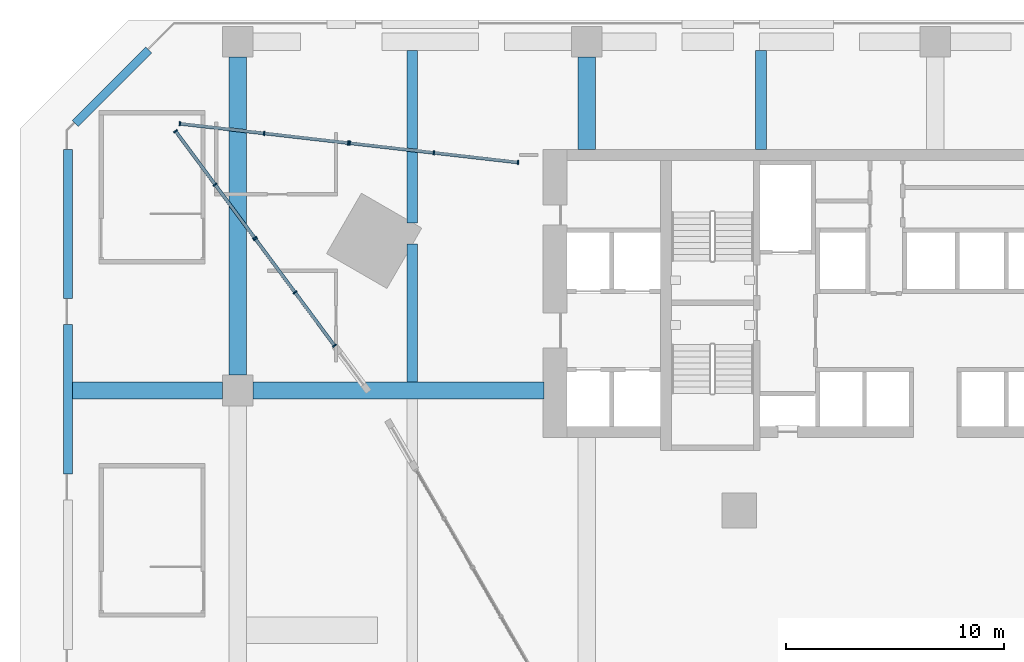
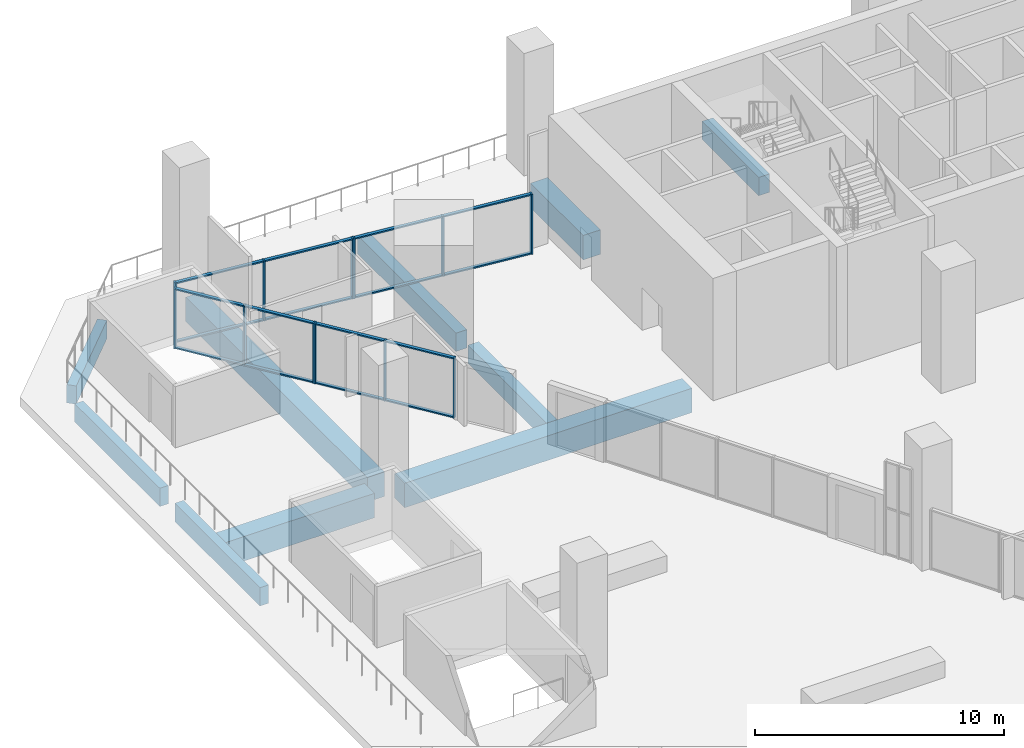
# One storey, part 9 of 25: 28 members, 10 beams, 4 elements without a shape of their own.
"""IFC4 building model written with IfcOpenShell, lengths in metres."""

from ifc_helpers import new_model, si_unit, direction, frame, origin, origin_2d, place, context, subcontext, project, spatial, rectangle, extrude, material, material_profile, profile_set, type_object, element, aggregate, save


model = new_model("IFC4")

# Units and contexts
model_context = context("Model", 3, precision=1e-05, world=origin(), true_north=direction((0.0, 1.0)))
body_context = subcontext(model_context, "Body", "Model", "MODEL_VIEW")
ifc_project = project(units=[si_unit("LENGTHUNIT", "METRE"), si_unit("AREAUNIT", "SQUARE_METRE"), si_unit("VOLUMEUNIT", "CUBIC_METRE"), si_unit("PLANEANGLEUNIT", "RADIAN"), si_unit("MASSUNIT", "GRAM", prefix="KILO")], contexts=[model_context])

# Site, building, storey
site_placement = place(None, origin())
site = spatial("IfcSite", under=ifc_project, at=site_placement, CompositionType="ELEMENT")
building_placement = place(site_placement, origin())
building = spatial("IfcBuilding", under=site, at=building_placement, Name="Calabash Gate Tower", CompositionType="ELEMENT")
storey_placement = place(building_placement, frame((0.0, 0.0, 40.0)))
storey = spatial("IfcBuildingStorey", under=building, at=storey_placement, Name="L05", CompositionType="ELEMENT", Elevation=40.0)

# Beams
ifc_material_1 = material(Name="Concrete C50/60", Category="concrete")
ifc_material_profile_1 = material_profile(ifc_material_1, rectangle(XDim=0.39990234375, YDim=0.89990234375, at=origin_2d()))
ifc_profile_set_1 = profile_set([ifc_material_profile_1], Name="Concrete C50/60")
beam_type_1 = type_object("IfcBeamType", Name="Edge beam RC 400x900 Concrete C50/60", PredefinedType="BEAM", material=ifc_profile_set_1)
beam_1_placement = place(storey_placement, frame((-39.800048828125, 4.172119140625, -0.89990234375), z_axis=(0.0, 1.0, 0.0), x_axis=(-1.0, 0.0, 0.0)))
element("IfcBeam", 1, at=beam_1_placement, inside=storey, type_object=beam_type_1, Name="Edge beam L05 7", PredefinedType="BEAM", context=body_context, shape_type="SweptSolid", body=[
    extrude(rectangle(XDim=0.39990234375, YDim=0.89990234375, at=origin_2d()), origin(), (0.0, 0.0, 1.0), 6.847900390625),
])
beam_2_placement = place(storey_placement, frame((-39.800048828125, 12.219970703125, -0.89990234375), z_axis=(0.0, 1.0, 0.0), x_axis=(-1.0, 0.0, 0.0)))
element("IfcBeam", 2, at=beam_2_placement, inside=storey, type_object=beam_type_1, Name="Edge beam L05 8", PredefinedType="BEAM", context=body_context, shape_type="SweptSolid", body=[
    extrude(rectangle(XDim=0.39990234375, YDim=0.89990234375, at=origin_2d()), origin(), (0.0, 0.0, 1.0), 6.84912109375),
])
beam_3_placement = place(storey_placement, frame((-39.464111328125, 20.2529296875, -0.89990234375), z_axis=(0.707209208473, 0.707004339061, 0.0), x_axis=(-0.707004339061, 0.707209208473, 0.0)))
element("IfcBeam", 3, at=beam_3_placement, inside=storey, type_object=beam_type_1, Name="Edge beam L05 9", PredefinedType="BEAM", context=body_context, shape_type="SweptSolid", body=[
    extrude(rectangle(XDim=0.39990234375, YDim=0.89990234375, at=origin_2d()), origin(), (0.0, 0.0, 1.0), 4.766845703125),
])
ifc_material_2 = material(Name="Concrete C50/60", Category="concrete")
ifc_material_profile_2 = material_profile(ifc_material_2, rectangle(XDim=0.5, YDim=0.89990234375, at=origin_2d()))
ifc_profile_set_2 = profile_set([ifc_material_profile_2], Name="Concrete C50/60")
beam_type_2 = type_object("IfcBeamType", Name="Floor beam RC 500x900 Concrete C50/60", PredefinedType="BEAM", material=ifc_profile_set_2)
beam_4_placement = place(storey_placement, frame((-24.0, 8.39990234375, -0.89990234375), z_axis=(0.0, 1.0, 0.0), x_axis=(-1.0, 0.0, 0.0)))
element("IfcBeam", 4, at=beam_4_placement, inside=storey, type_object=beam_type_2, Name="Floor beam L05 4", PredefinedType="BEAM", context=body_context, shape_type="SweptSolid", body=[
    extrude(rectangle(XDim=0.5, YDim=0.89990234375, at=origin_2d()), origin(), (0.0, 0.0, 1.0), 6.319091796875),
])
beam_5_placement = place(storey_placement, frame((-24.0, 15.681884765625, -0.89990234375), z_axis=(0.0, 1.0, 0.0), x_axis=(-1.0, 0.0, 0.0)))
element("IfcBeam", 5, at=beam_5_placement, inside=storey, type_object=beam_type_2, Name="Floor beam L05 5", PredefinedType="BEAM", context=body_context, shape_type="SweptSolid", body=[
    extrude(rectangle(XDim=0.5, YDim=0.89990234375, at=origin_2d()), origin(), (0.0, 0.0, 1.0), 7.918212890625),
])
beam_6_placement = place(storey_placement, frame((-8.0, 19.052978515625, -0.89990234375), z_axis=(0.0, 1.0, 0.0), x_axis=(-1.0, 0.0, 0.0)))
element("IfcBeam", 6, at=beam_6_placement, inside=storey, type_object=beam_type_2, Name="Floor beam L05 8", PredefinedType="BEAM", context=body_context, shape_type="SweptSolid", body=[
    extrude(rectangle(XDim=0.5, YDim=0.89990234375, at=origin_2d()), origin(), (0.0, 0.0, 1.0), 4.547119140625),
])
ifc_material_3 = material(Name="Concrete C50/60", Category="concrete")
ifc_material_profile_3 = material_profile(ifc_material_3, rectangle(XDim=0.800048828125, YDim=1.199951171875, at=origin_2d()))
ifc_profile_set_3 = profile_set([ifc_material_profile_3], Name="Concrete C50/60")
beam_type_3 = type_object("IfcBeamType", Name="Grid girder RC 800x1200 Concrete C50/60", PredefinedType="BEAM", material=ifc_profile_set_3)
beam_7_placement = place(storey_placement, frame((-32.0, 8.699951171875, -1.050048828125), z_axis=(0.0, 1.0, 0.0), x_axis=(-1.0, 0.0, 0.0)))
element("IfcBeam", 7, at=beam_7_placement, inside=storey, type_object=beam_type_3, Name="Grid girder L05 4", PredefinedType="BEAM", context=body_context, shape_type="SweptSolid", body=[
    extrude(rectangle(XDim=0.800048828125, YDim=1.199951171875, at=origin_2d()), origin(), (0.0, 0.0, 1.0), 14.60009765625),
])
beam_8_placement = place(storey_placement, frame((-16.0, 19.052978515625, -1.050048828125), z_axis=(0.0, 1.0, 0.0), x_axis=(-1.0, 0.0, 0.0)))
element("IfcBeam", 8, at=beam_8_placement, inside=storey, type_object=beam_type_3, Name="Grid girder L05 8", PredefinedType="BEAM", context=body_context, shape_type="SweptSolid", body=[
    extrude(rectangle(XDim=0.800048828125, YDim=1.199951171875, at=origin_2d()), origin(), (0.0, 0.0, 1.0), 4.2470703125),
])
beam_9_placement = place(storey_placement, frame((-39.60009765625, 8.0, -1.050048828125), z_axis=(1.0, 0.0, 0.0), x_axis=(0.0, 1.0, 0.0)))
element("IfcBeam", 9, at=beam_9_placement, inside=storey, type_object=beam_type_3, Name="Grid girder L05 38", PredefinedType="BEAM", context=body_context, shape_type="SweptSolid", body=[
    extrude(rectangle(XDim=0.800048828125, YDim=1.199951171875, at=origin_2d()), origin(), (0.0, 0.0, 1.0), 6.900146484375),
])
beam_10_placement = place(storey_placement, frame((-31.300048828125, 8.0, -1.050048828125), z_axis=(1.0, 0.0, 0.0), x_axis=(0.0, 1.0, 0.0)))
element("IfcBeam", 10, at=beam_10_placement, inside=storey, type_object=beam_type_3, Name="Grid girder L05 39", PredefinedType="BEAM", context=body_context, shape_type="SweptSolid", body=[
    extrude(rectangle(XDim=0.800048828125, YDim=1.199951171875, at=origin_2d()), origin(), (0.0, 0.0, 1.0), 13.33203125),
])

# Curtain wall, members
ifc_material_4 = material(Name="Anodised aluminium frame, bronze finish, clear laminated impact-rated glazing", Category="aluminium")
curtain_wall_type = type_object("IfcCurtainWallType", Name="Curtain wall CWF podium shopfront", PredefinedType="NOTDEFINED", material=ifc_material_4)
curtain_wall_1_placement = place(storey_placement, origin())
curtain_wall_1 = element("IfcCurtainWall", 11, at=curtain_wall_1_placement, inside=storey, type_object=curtain_wall_type, Name="Curtain wall CWF L05 lobby 5.0.0", PredefinedType="NOTDEFINED")
ifc_material_5 = material(Name="Anodised aluminium frame, bronze finish", Category="aluminium")
ifc_material_profile_4 = material_profile(ifc_material_5, rectangle(XDim=0.199951171875, YDim=0.06494140625, at=origin_2d()))
ifc_profile_set_4 = profile_set([ifc_material_profile_4], Name="Anodised aluminium frame, bronze finish")
member_type_1 = type_object("IfcMemberType", Name="Mullion CWF 65x200", PredefinedType="MULLION", material=ifc_profile_set_4)
member_1_placement = place(storey_placement, frame((-19.150146484375, 18.4658203125, 0.0), z_axis=(0.0, 0.0, 1.0), x_axis=(-0.11377698679, -0.993506314664, 0.0)))
member_1 = element("IfcMember", 12, at=member_1_placement, type_object=member_type_1, Name="CWF mullion 1", PredefinedType="MULLION", context=body_context, shape_type="SweptSolid", body=[
    extrude(rectangle(XDim=0.199951171875, YDim=0.06494140625, at=origin_2d()), origin(), (0.0, 0.0, 1.0), 2.949951171875),
])
member_2_placement = place(storey_placement, frame((-23.011962890625, 18.908203125, 0.0), z_axis=(0.0, 0.0, 1.0), x_axis=(-0.11377698679, -0.993506314664, 0.0)))
member_2 = element("IfcMember", 13, at=member_2_placement, type_object=member_type_1, Name="CWF mullion 2", PredefinedType="MULLION", context=body_context, shape_type="SweptSolid", body=[
    extrude(rectangle(XDim=0.199951171875, YDim=0.06494140625, at=origin_2d()), origin(), (0.0, 0.0, 1.0), 2.949951171875),
])
member_3_placement = place(storey_placement, frame((-26.873779296875, 19.350341796875, 0.0), z_axis=(0.0, 0.0, 1.0), x_axis=(-0.11377698679, -0.993506314664, 0.0)))
member_3 = element("IfcMember", 14, at=member_3_placement, type_object=member_type_1, Name="CWF mullion 3", PredefinedType="MULLION", context=body_context, shape_type="SweptSolid", body=[
    extrude(rectangle(XDim=0.199951171875, YDim=0.06494140625, at=origin_2d()), origin(), (0.0, 0.0, 1.0), 2.949951171875),
])

curtain_wall_2_placement = place(storey_placement, origin())
curtain_wall_2 = element("IfcCurtainWall", 15, at=curtain_wall_2_placement, inside=storey, type_object=curtain_wall_type, Name="Curtain wall CWF L05 lobby 5.0.1", PredefinedType="NOTDEFINED")
member_4_placement = place(storey_placement, frame((-26.9384765625, 19.357666015625, 0.0), z_axis=(0.0, 0.0, 1.0), x_axis=(-0.113776860885, -0.993506329083, 0.0)))
member_4 = element("IfcMember", 16, at=member_4_placement, type_object=member_type_1, Name="CWF mullion 1", PredefinedType="MULLION", context=body_context, shape_type="SweptSolid", body=[
    extrude(rectangle(XDim=0.199951171875, YDim=0.06494140625, at=origin_2d()), origin(), (0.0, 0.0, 1.0), 2.949951171875),
])
member_5_placement = place(storey_placement, frame((-30.80029296875, 19.800048828125, 0.0), z_axis=(0.0, 0.0, 1.0), x_axis=(-0.113776860885, -0.993506329083, 0.0)))
member_5 = element("IfcMember", 17, at=member_5_placement, type_object=member_type_1, Name="CWF mullion 2", PredefinedType="MULLION", context=body_context, shape_type="SweptSolid", body=[
    extrude(rectangle(XDim=0.199951171875, YDim=0.06494140625, at=origin_2d()), origin(), (0.0, 0.0, 1.0), 2.949951171875),
])
member_6_placement = place(storey_placement, frame((-34.662109375, 20.2421875, 0.0), z_axis=(0.0, 0.0, 1.0), x_axis=(-0.113776860885, -0.993506329083, 0.0)))
member_6 = element("IfcMember", 18, at=member_6_placement, type_object=member_type_1, Name="CWF mullion 3", PredefinedType="MULLION", context=body_context, shape_type="SweptSolid", body=[
    extrude(rectangle(XDim=0.199951171875, YDim=0.06494140625, at=origin_2d()), origin(), (0.0, 0.0, 1.0), 2.949951171875),
])

curtain_wall_3_placement = place(storey_placement, origin())
curtain_wall_3 = element("IfcCurtainWall", 19, at=curtain_wall_3_placement, inside=storey, type_object=curtain_wall_type, Name="Curtain wall CWF L05 lobby 7.0.0", PredefinedType="NOTDEFINED")
member_7_placement = place(storey_placement, frame((-34.861328125, 19.897216796875, 0.0), z_axis=(0.0, 0.0, 1.0), x_axis=(0.803513232563, 0.595286893099, 0.0)))
member_7 = element("IfcMember", 20, at=member_7_placement, type_object=member_type_1, Name="CWF mullion 1", PredefinedType="MULLION", context=body_context, shape_type="SweptSolid", body=[
    extrude(rectangle(XDim=0.199951171875, YDim=0.06494140625, at=origin_2d()), origin(), (0.0, 0.0, 1.0), 2.949951171875),
])
member_8_placement = place(storey_placement, frame((-33.048095703125, 17.44970703125, 0.0), z_axis=(0.0, 0.0, 1.0), x_axis=(0.803513232563, 0.595286893099, 0.0)))
member_8 = element("IfcMember", 21, at=member_8_placement, type_object=member_type_1, Name="CWF mullion 2", PredefinedType="MULLION", context=body_context, shape_type="SweptSolid", body=[
    extrude(rectangle(XDim=0.199951171875, YDim=0.06494140625, at=origin_2d()), origin(), (0.0, 0.0, 1.0), 2.949951171875),
])
member_9_placement = place(storey_placement, frame((-31.23486328125, 15.002197265625, 0.0), z_axis=(0.0, 0.0, 1.0), x_axis=(0.803513232563, 0.595286893099, 0.0)))
member_9 = element("IfcMember", 22, at=member_9_placement, type_object=member_type_1, Name="CWF mullion 3", PredefinedType="MULLION", context=body_context, shape_type="SweptSolid", body=[
    extrude(rectangle(XDim=0.199951171875, YDim=0.06494140625, at=origin_2d()), origin(), (0.0, 0.0, 1.0), 2.949951171875),
])

curtain_wall_4_placement = place(storey_placement, origin())
curtain_wall_4 = element("IfcCurtainWall", 23, at=curtain_wall_4_placement, inside=storey, type_object=curtain_wall_type, Name="Curtain wall CWF L05 lobby 7.0.1", PredefinedType="NOTDEFINED")
member_10_placement = place(storey_placement, frame((-31.1962890625, 14.949951171875, 0.0), z_axis=(0.0, 0.0, 1.0), x_axis=(0.803513175004, 0.595286970792, 0.0)))
member_10 = element("IfcMember", 24, at=member_10_placement, type_object=member_type_1, Name="CWF mullion 1", PredefinedType="MULLION", context=body_context, shape_type="SweptSolid", body=[
    extrude(rectangle(XDim=0.199951171875, YDim=0.06494140625, at=origin_2d()), origin(), (0.0, 0.0, 1.0), 2.949951171875),
])
member_11_placement = place(storey_placement, frame((-29.383056640625, 12.50244140625, 0.0), z_axis=(0.0, 0.0, 1.0), x_axis=(0.803513175004, 0.595286970792, 0.0)))
member_11 = element("IfcMember", 25, at=member_11_placement, type_object=member_type_1, Name="CWF mullion 2", PredefinedType="MULLION", context=body_context, shape_type="SweptSolid", body=[
    extrude(rectangle(XDim=0.199951171875, YDim=0.06494140625, at=origin_2d()), origin(), (0.0, 0.0, 1.0), 2.949951171875),
])
member_12_placement = place(storey_placement, frame((-27.56982421875, 10.05517578125, 0.0), z_axis=(0.0, 0.0, 1.0), x_axis=(0.803513175004, 0.595286970792, 0.0)))
member_12 = element("IfcMember", 26, at=member_12_placement, type_object=member_type_1, Name="CWF mullion 3", PredefinedType="MULLION", context=body_context, shape_type="SweptSolid", body=[
    extrude(rectangle(XDim=0.199951171875, YDim=0.06494140625, at=origin_2d()), origin(), (0.0, 0.0, 1.0), 2.949951171875),
])

# Member
ifc_material_6 = material(Name="Anodised aluminium frame, bronze finish", Category="aluminium")
ifc_material_profile_5 = material_profile(ifc_material_6, rectangle(XDim=0.14990234375, YDim=0.06494140625, at=origin_2d()))
ifc_profile_set_5 = profile_set([ifc_material_profile_5], Name="Anodised aluminium frame, bronze finish")
member_type_2 = type_object("IfcMemberType", Name="Transom CWF 65x150", PredefinedType="USERDEFINED", material=ifc_profile_set_5)
member_13_placement = place(storey_placement, frame((-19.1826171875, 18.469482421875, 0.032470703125), z_axis=(-0.9935073229, 0.113768182478, 0.0), x_axis=(-0.113768182478, -0.9935073229, 0.0)))
member_13 = element("IfcMember", 27, at=member_13_placement, type_object=member_type_2, Name="CWF transom 1.1", ObjectType="TRANSOM", PredefinedType="USERDEFINED", context=body_context, shape_type="SweptSolid", body=[
    extrude(rectangle(XDim=0.14990234375, YDim=0.06494140625, at=origin_2d()), origin(), (0.0, 0.0, 1.0), 3.822021484375),
])

member_14_placement = place(storey_placement, frame((-19.1826171875, 18.469482421875, 2.91748046875), z_axis=(-0.9935073229, 0.113768182478, 0.0), x_axis=(-0.113768182478, -0.9935073229, 0.0)))
member_14 = element("IfcMember", 28, at=member_14_placement, type_object=member_type_2, Name="CWF transom 1.2", ObjectType="TRANSOM", PredefinedType="USERDEFINED", context=body_context, shape_type="SweptSolid", body=[
    extrude(rectangle(XDim=0.14990234375, YDim=0.06494140625, at=origin_2d()), origin(), (0.0, 0.0, 1.0), 3.822021484375),
])

member_15_placement = place(storey_placement, frame((-23.04443359375, 18.911865234375, 0.032470703125), z_axis=(-0.9935073229, 0.113768182478, 0.0), x_axis=(-0.113768182478, -0.9935073229, 0.0)))
member_15 = element("IfcMember", 29, at=member_15_placement, type_object=member_type_2, Name="CWF transom 2.1", ObjectType="TRANSOM", PredefinedType="USERDEFINED", context=body_context, shape_type="SweptSolid", body=[
    extrude(rectangle(XDim=0.14990234375, YDim=0.06494140625, at=origin_2d()), origin(), (0.0, 0.0, 1.0), 3.822021484375),
])

member_16_placement = place(storey_placement, frame((-23.04443359375, 18.911865234375, 2.91748046875), z_axis=(-0.9935073229, 0.113768182478, 0.0), x_axis=(-0.113768182478, -0.9935073229, 0.0)))
member_16 = element("IfcMember", 30, at=member_16_placement, type_object=member_type_2, Name="CWF transom 2.2", ObjectType="TRANSOM", PredefinedType="USERDEFINED", context=body_context, shape_type="SweptSolid", body=[
    extrude(rectangle(XDim=0.14990234375, YDim=0.06494140625, at=origin_2d()), origin(), (0.0, 0.0, 1.0), 3.822021484375),
])

aggregate(curtain_wall_1, [member_1, member_2, member_3, member_13, member_14, member_15, member_16])

member_17_placement = place(storey_placement, frame((-26.970703125, 19.361572265625, 0.032470703125), z_axis=(-0.993508149617, 0.113760962741, 0.0), x_axis=(-0.113760962741, -0.993508149617, 0.0)))
member_17 = element("IfcMember", 31, at=member_17_placement, type_object=member_type_2, Name="CWF transom 1.1", ObjectType="TRANSOM", PredefinedType="USERDEFINED", context=body_context, shape_type="SweptSolid", body=[
    extrude(rectangle(XDim=0.14990234375, YDim=0.06494140625, at=origin_2d()), origin(), (0.0, 0.0, 1.0), 3.822265625),
])

member_18_placement = place(storey_placement, frame((-26.970703125, 19.361572265625, 2.91748046875), z_axis=(-0.993508149617, 0.113760962741, 0.0), x_axis=(-0.113760962741, -0.993508149617, 0.0)))
member_18 = element("IfcMember", 32, at=member_18_placement, type_object=member_type_2, Name="CWF transom 1.2", ObjectType="TRANSOM", PredefinedType="USERDEFINED", context=body_context, shape_type="SweptSolid", body=[
    extrude(rectangle(XDim=0.14990234375, YDim=0.06494140625, at=origin_2d()), origin(), (0.0, 0.0, 1.0), 3.822265625),
])

member_19_placement = place(storey_placement, frame((-30.83251953125, 19.8037109375, 0.032470703125), z_axis=(-0.993508149617, 0.113760962741, 0.0), x_axis=(-0.113760962741, -0.993508149617, 0.0)))
member_19 = element("IfcMember", 33, at=member_19_placement, type_object=member_type_2, Name="CWF transom 2.1", ObjectType="TRANSOM", PredefinedType="USERDEFINED", context=body_context, shape_type="SweptSolid", body=[
    extrude(rectangle(XDim=0.14990234375, YDim=0.06494140625, at=origin_2d()), origin(), (0.0, 0.0, 1.0), 3.822265625),
])

member_20_placement = place(storey_placement, frame((-30.83251953125, 19.8037109375, 2.91748046875), z_axis=(-0.993508149617, 0.113760962741, 0.0), x_axis=(-0.113760962741, -0.993508149617, 0.0)))
member_20 = element("IfcMember", 34, at=member_20_placement, type_object=member_type_2, Name="CWF transom 2.2", ObjectType="TRANSOM", PredefinedType="USERDEFINED", context=body_context, shape_type="SweptSolid", body=[
    extrude(rectangle(XDim=0.14990234375, YDim=0.06494140625, at=origin_2d()), origin(), (0.0, 0.0, 1.0), 3.822265625),
])

aggregate(curtain_wall_2, [member_4, member_5, member_6, member_17, member_18, member_19, member_20])

member_21_placement = place(storey_placement, frame((-34.842041015625, 19.87109375, 0.032470703125), z_axis=(0.595258888859, -0.803533978893, 0.0), x_axis=(0.803533978893, 0.595258888859, 0.0)))
member_21 = element("IfcMember", 35, at=member_21_placement, type_object=member_type_2, Name="CWF transom 1.1", ObjectType="TRANSOM", PredefinedType="USERDEFINED", context=body_context, shape_type="SweptSolid", body=[
    extrude(rectangle(XDim=0.14990234375, YDim=0.06494140625, at=origin_2d()), origin(), (0.0, 0.0, 1.0), 2.98095703125),
])

member_22_placement = place(storey_placement, frame((-34.842041015625, 19.87109375, 2.91748046875), z_axis=(0.595258888859, -0.803533978893, 0.0), x_axis=(0.803533978893, 0.595258888859, 0.0)))
member_22 = element("IfcMember", 36, at=member_22_placement, type_object=member_type_2, Name="CWF transom 1.2", ObjectType="TRANSOM", PredefinedType="USERDEFINED", context=body_context, shape_type="SweptSolid", body=[
    extrude(rectangle(XDim=0.14990234375, YDim=0.06494140625, at=origin_2d()), origin(), (0.0, 0.0, 1.0), 2.98095703125),
])

member_23_placement = place(storey_placement, frame((-33.02880859375, 17.423583984375, 0.032470703125), z_axis=(0.595258888859, -0.803533978893, 0.0), x_axis=(0.803533978893, 0.595258888859, 0.0)))
member_23 = element("IfcMember", 37, at=member_23_placement, type_object=member_type_2, Name="CWF transom 2.1", ObjectType="TRANSOM", PredefinedType="USERDEFINED", context=body_context, shape_type="SweptSolid", body=[
    extrude(rectangle(XDim=0.14990234375, YDim=0.06494140625, at=origin_2d()), origin(), (0.0, 0.0, 1.0), 2.98095703125),
])

member_24_placement = place(storey_placement, frame((-33.02880859375, 17.423583984375, 2.91748046875), z_axis=(0.595258888859, -0.803533978893, 0.0), x_axis=(0.803533978893, 0.595258888859, 0.0)))
member_24 = element("IfcMember", 38, at=member_24_placement, type_object=member_type_2, Name="CWF transom 2.2", ObjectType="TRANSOM", PredefinedType="USERDEFINED", context=body_context, shape_type="SweptSolid", body=[
    extrude(rectangle(XDim=0.14990234375, YDim=0.06494140625, at=origin_2d()), origin(), (0.0, 0.0, 1.0), 2.98095703125),
])

aggregate(curtain_wall_3, [member_7, member_8, member_9, member_21, member_22, member_23, member_24])

member_25_placement = place(storey_placement, frame((-31.177001953125, 14.923828125, 0.032470703125), z_axis=(0.595311765968, -0.803494804775, 0.0), x_axis=(0.803494804775, 0.595311765968, 0.0)))
member_25 = element("IfcMember", 39, at=member_25_placement, type_object=member_type_2, Name="CWF transom 1.1", ObjectType="TRANSOM", PredefinedType="USERDEFINED", context=body_context, shape_type="SweptSolid", body=[
    extrude(rectangle(XDim=0.14990234375, YDim=0.06494140625, at=origin_2d()), origin(), (0.0, 0.0, 1.0), 2.98095703125),
])

member_26_placement = place(storey_placement, frame((-31.177001953125, 14.923828125, 2.91748046875), z_axis=(0.595311765968, -0.803494804775, 0.0), x_axis=(0.803494804775, 0.595311765968, 0.0)))
member_26 = element("IfcMember", 40, at=member_26_placement, type_object=member_type_2, Name="CWF transom 1.2", ObjectType="TRANSOM", PredefinedType="USERDEFINED", context=body_context, shape_type="SweptSolid", body=[
    extrude(rectangle(XDim=0.14990234375, YDim=0.06494140625, at=origin_2d()), origin(), (0.0, 0.0, 1.0), 2.98095703125),
])

member_27_placement = place(storey_placement, frame((-29.36376953125, 12.4765625, 0.032470703125), z_axis=(0.595311765968, -0.803494804775, 0.0), x_axis=(0.803494804775, 0.595311765968, 0.0)))
member_27 = element("IfcMember", 41, at=member_27_placement, type_object=member_type_2, Name="CWF transom 2.1", ObjectType="TRANSOM", PredefinedType="USERDEFINED", context=body_context, shape_type="SweptSolid", body=[
    extrude(rectangle(XDim=0.14990234375, YDim=0.06494140625, at=origin_2d()), origin(), (0.0, 0.0, 1.0), 2.98095703125),
])

member_28_placement = place(storey_placement, frame((-29.36376953125, 12.4765625, 2.91748046875), z_axis=(0.595311765968, -0.803494804775, 0.0), x_axis=(0.803494804775, 0.595311765968, 0.0)))
member_28 = element("IfcMember", 42, at=member_28_placement, type_object=member_type_2, Name="CWF transom 2.2", ObjectType="TRANSOM", PredefinedType="USERDEFINED", context=body_context, shape_type="SweptSolid", body=[
    extrude(rectangle(XDim=0.14990234375, YDim=0.06494140625, at=origin_2d()), origin(), (0.0, 0.0, 1.0), 2.98095703125),
])

aggregate(curtain_wall_4, [member_10, member_11, member_12, member_25, member_26, member_27, member_28])

save(model, "model.ifc")
